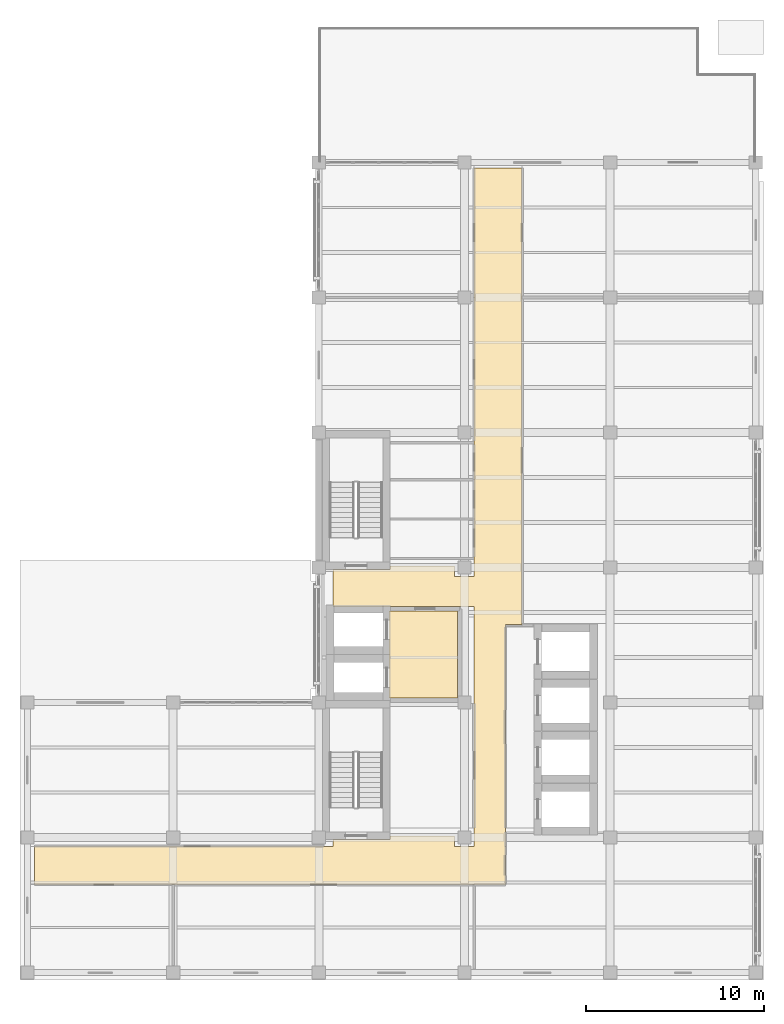
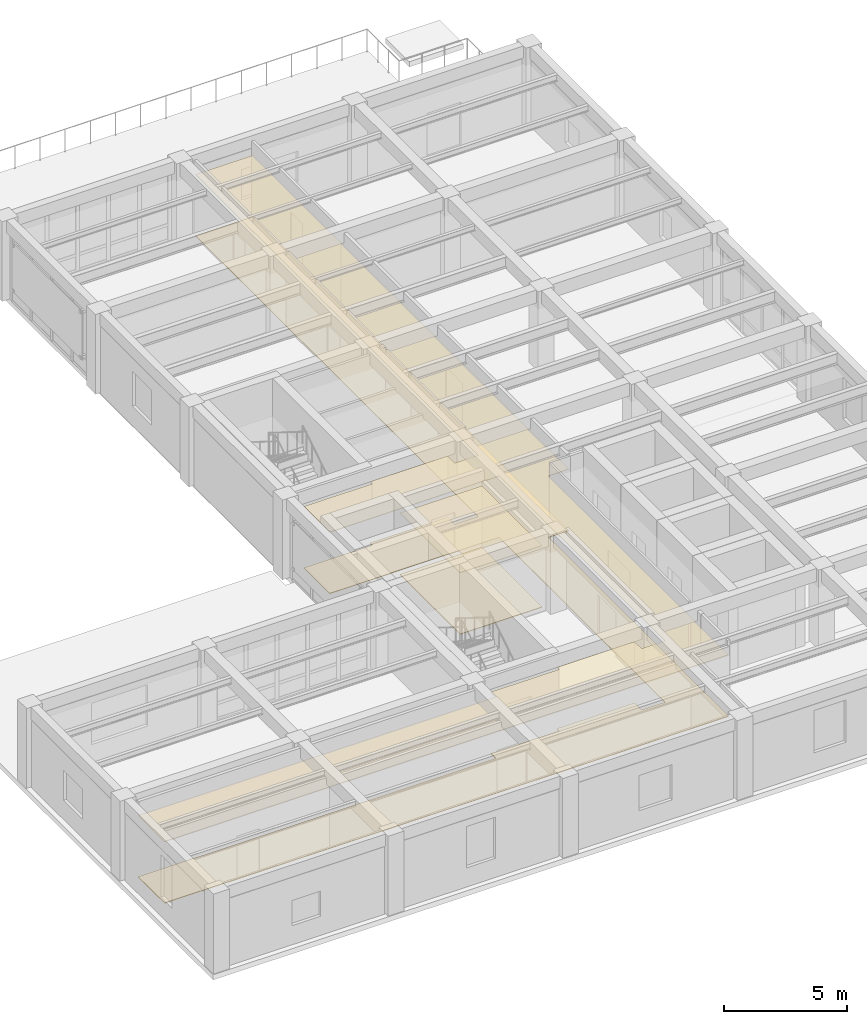
# One storey, part 10 of 12: 4 coverings.
"""IFC4 building model written with IfcOpenShell, lengths in metres."""

import ifcopenshell
import ifcopenshell.guid

model = None  # the IFC model being written
_history = None  # IfcOwnerHistory: only IFC2X3 demands one
_inside = {}  # id of a spatial element -> (the spatial element, [elements in it])
_under = {}  # id of a project, library or spatial element -> (it, [spatial elements below it])
_declared = {}  # id of a project -> (the project, [libraries it declares])
_typed = {}  # id of a type object -> (the type object, [elements of that type])
_made_of = {}  # id of a material, layer set ... -> (it, [elements and type objects made of it])


def new_model(schema):
    """Start an empty IFC model of exactly this schema.

    Asked for "IFC4X3", IfcOpenShell would pick the latest addendum, in which some entities
    have other attributes; the version numbers below select the first issue.
    IFC2X3 requires an IfcOwnerHistory on every rooted entity: one is made here for all.
    """
    global model, _history
    if schema == "IFC4X3":
        model = ifcopenshell.file(schema_version=(4, 3, 0, 0))
    else:
        model = ifcopenshell.file(schema=schema)
    _inside.clear()
    _under.clear()
    _declared.clear()
    _typed.clear()
    _made_of.clear()
    _history = None
    if model.schema == "IFC2X3":
        org = make("IfcOrganization", Name="unknown")
        user = make(
            "IfcPersonAndOrganization",
            ThePerson=make("IfcPerson", FamilyName="unknown"),
            TheOrganization=org,
        )
        app = make(
            "IfcApplication",
            ApplicationDeveloper=org,
            Version="unknown",
            ApplicationFullName="unknown",
            ApplicationIdentifier="unknown",
        )
        _history = make(
            "IfcOwnerHistory",
            OwningUser=user,
            OwningApplication=app,
            ChangeAction="ADDED",
            CreationDate=0,
        )
    return model


def make(cls, **values):
    """One entity of the class cls with the attributes given. An attribute that is None is left unset."""
    return model.create_entity(
        cls, **{name: value for name, value in values.items() if value is not None}
    )


def rooted(cls, **values):
    """An entity with a GlobalId (a new one), such as an element, a storey or a relation."""
    return make(cls, GlobalId=ifcopenshell.guid.new(), OwnerHistory=_history, **values)


def si_unit(unit_type, name, prefix=None):
    """IfcSIUnit, for example si_unit("LENGTHUNIT", "METRE", prefix="MILLI")."""
    return make("IfcSIUnit", UnitType=unit_type, Prefix=prefix, Name=name)


def assignment(units):
    """IfcUnitAssignment: the units of a project."""
    return None if units is None else make("IfcUnitAssignment", Units=units)


def point(xyz):
    """IfcCartesianPoint."""
    return None if xyz is None else make("IfcCartesianPoint", Coordinates=xyz)


def direction(xyz):
    """IfcDirection."""
    return None if xyz is None else make("IfcDirection", DirectionRatios=xyz)


def frame(location, z_axis=None, x_axis=None):
    """IfcAxis2Placement3D, a coordinate frame: its origin and axes. An axis left out is left unset."""
    return make(
        "IfcAxis2Placement3D",
        Location=point(location),
        Axis=direction(z_axis),
        RefDirection=direction(x_axis),
    )


def origin():
    """The frame at (0, 0, 0) with its axes left unset."""
    return frame((0.0, 0.0, 0.0))


def place(relative_to, where):
    """IfcLocalPlacement: puts the frame where relative to a parent placement (None: the world)."""
    return make(
        "IfcLocalPlacement", PlacementRelTo=relative_to, RelativePlacement=where
    )


def context(
    kind, dimensions, precision=None, world=None, true_north=None, identifier=None
):
    """IfcGeometricRepresentationContext, for example the 3D "Model" context."""
    return make(
        "IfcGeometricRepresentationContext",
        ContextIdentifier=identifier,
        ContextType=kind,
        CoordinateSpaceDimension=dimensions,
        Precision=precision,
        WorldCoordinateSystem=world,
        TrueNorth=true_north,
    )


def subcontext(parent, identifier, kind, view, scale=None):
    """IfcGeometricRepresentationSubContext, for example "Body" below "Model"."""
    return make(
        "IfcGeometricRepresentationSubContext",
        ContextIdentifier=identifier,
        ContextType=kind,
        ParentContext=parent,
        TargetScale=scale,
        TargetView=view,
    )


def project(units=None, contexts=None):
    """IfcProject with its units and contexts."""
    return rooted(
        "IfcProject",
        Name="project",
        RepresentationContexts=contexts,
        UnitsInContext=assignment(units),
    )


def spatial(cls, under=None, at=None, **own):
    """A site, building, storey or space (cls), placed at a placement, below another one or the project."""
    s = rooted(cls, ObjectPlacement=at, **own)
    if under is not None:
        _under.setdefault(under.id(), (under, []))[1].append(s)
    return s


def polyline(points):
    """IfcPolyline through the points."""
    return make("IfcPolyline", Points=[point(p) for p in points])


def outline(outer, holes=None, kind="AREA"):
    """IfcArbitraryClosedProfileDef: a profile drawn as a closed curve; with holes, ...WithVoids."""
    if holes is None:
        return make("IfcArbitraryClosedProfileDef", ProfileType=kind, OuterCurve=outer)
    return make(
        "IfcArbitraryProfileDefWithVoids",
        ProfileType=kind,
        OuterCurve=outer,
        InnerCurves=holes,
    )


def extrude(swept, where, along, depth):
    """IfcExtrudedAreaSolid: the profile swept, set in the frame where, extruded along a direction by depth."""
    return make(
        "IfcExtrudedAreaSolid",
        SweptArea=swept,
        Position=where,
        ExtrudedDirection=direction(along),
        Depth=depth,
    )


def shape(context_of_items, identifier, shape_type, items):
    """IfcShapeRepresentation: the items that make up one representation, for example the "Body"."""
    return make(
        "IfcShapeRepresentation",
        ContextOfItems=context_of_items,
        RepresentationIdentifier=identifier,
        RepresentationType=shape_type,
        Items=items,
    )


def material(Name=None, Category=None):
    """IfcMaterial."""
    return make("IfcMaterial", Name=Name, Category=Category)


def layer(
    of_material, thickness, ventilated=None, Name=None, Category=None, Priority=None
):
    """IfcMaterialLayer: one layer of a wall or slab, of a material (None: an air gap)."""
    return make(
        "IfcMaterialLayer",
        Material=of_material,
        LayerThickness=thickness,
        IsVentilated=ventilated,
        Name=Name,
        Category=Category,
        Priority=Priority,
    )


def layer_set(layers, Name=None):
    """IfcMaterialLayerSet."""
    return make("IfcMaterialLayerSet", MaterialLayers=layers, LayerSetName=Name)


def made_of(thing, what):
    """Note that an element or type object is made of a material, layer set ...; save() writes the relation."""
    if what is not None:
        _made_of.setdefault(what.id(), (what, []))[1].append(thing)
    return thing


def type_object(cls, material=None, **own):
    """A type object (cls), such as IfcWallType, which elements share."""
    return made_of(rooted(cls, **own), material)


def element(
    cls,
    number,
    at=None,
    inside=None,
    cuts=None,
    type_object=None,
    material=None,
    context=None,
    identifier="Body",
    shape_type=None,
    held_by="IfcProductDefinitionShape",
    body=None,
    shapes=None,
    **own,
):
    """One element of the class cls, such as IfcWall. Its Tag is "e" and its number.

    at: its placement. inside: the storey or other place that contains it. cuts: it is an
    opening in that element (IfcRelVoidsElement). A single representation is given by context,
    identifier, shape_type and body (its items); several are given by shapes. held_by: the class
    of the entity that holds the representations. save() writes the other relations.
    """
    e = rooted(cls, Tag="e%d" % number, ObjectPlacement=at, **own)
    if body is not None:
        shapes = [shape(context, identifier, shape_type, body)]
    if shapes is not None:
        e.Representation = make(held_by, Representations=shapes)
    if inside is not None:
        _inside.setdefault(inside.id(), (inside, []))[1].append(e)
    if cuts is not None:
        rooted(
            "IfcRelVoidsElement", RelatingBuildingElement=cuts, RelatedOpeningElement=e
        )
    if type_object is not None:
        _typed.setdefault(type_object.id(), (type_object, []))[1].append(e)
    return made_of(e, material)


def aggregate(whole, parts):
    """IfcRelAggregates: a whole, such as a stair, and the parts it consists of."""
    return rooted("IfcRelAggregates", RelatingObject=whole, RelatedObjects=parts)


def save(model, path):
    """Write the relations noted so far, then the file.

    IfcRelAggregates (storeys below a building ...), IfcRelContainedInSpatialStructure (elements
    in a storey), IfcRelDefinesByType, IfcRelAssociatesMaterial and IfcRelDeclares: one each for
    every whole, place, type object, material and project.
    """
    for whole, parts in _under.values():
        aggregate(whole, parts)
    for where, things in _inside.values():
        rooted(
            "IfcRelContainedInSpatialStructure",
            RelatedElements=things,
            RelatingStructure=where,
        )
    for kind, things in _typed.values():
        rooted("IfcRelDefinesByType", RelatedObjects=things, RelatingType=kind)
    for what, things in _made_of.values():
        rooted("IfcRelAssociatesMaterial", RelatedObjects=things, RelatingMaterial=what)
    for by, libraries in _declared.values():
        rooted("IfcRelDeclares", RelatingContext=by, RelatedDefinitions=libraries)
    model.write(path)


model = new_model("IFC4")

# Units and contexts
model_context = context("Model", 3, precision=1e-05, world=origin(), true_north=direction((0.0, 1.0)))
body_context = subcontext(model_context, "Body", "Model", "MODEL_VIEW")
ifc_project = project(units=[si_unit("LENGTHUNIT", "METRE"), si_unit("AREAUNIT", "SQUARE_METRE"), si_unit("VOLUMEUNIT", "CUBIC_METRE"), si_unit("PLANEANGLEUNIT", "RADIAN"), si_unit("MASSUNIT", "GRAM", prefix="KILO")], contexts=[model_context])

# Site, building, storey
site_placement = place(None, origin())
site = spatial("IfcSite", under=ifc_project, at=site_placement, CompositionType="ELEMENT")
building_placement = place(site_placement, origin())
building = spatial("IfcBuilding", under=site, at=building_placement, Name="Qandaris Square Conservatory and Botanical Centre", CompositionType="ELEMENT")
storey_placement = place(building_placement, frame((0.0, 0.0, 53.39990234375)))
storey = spatial("IfcBuildingStorey", under=building, at=storey_placement, Name="L12", CompositionType="ELEMENT", Elevation=53.39990234375)

# Coverings
ifc_material_1 = material(Name="Honed Qatari Limestone", Category="masonry")
ifc_layer_1 = layer(ifc_material_1, 0.030029296875)
ifc_layer_set_1 = layer_set([ifc_layer_1], Name="Honed Qatari Limestone")
covering_type_1 = type_object("IfcCoveringType", Name="Honed Qatari Limestone Concourse Paving", PredefinedType="FLOORING", material=ifc_layer_set_1)
covering_1_placement = place(storey_placement, origin())
element("IfcCovering", 1, at=covering_1_placement, inside=storey, type_object=covering_type_1, Name="Firefighting Lift Lobby L12 Flooring", PredefinedType="FLOORING", context=body_context, shape_type="SweptSolid", body=[
    extrude(outline(polyline([(143.14990234375, 36.949951171875), (147.0, 36.949951171875), (147.0, 32.050048828125), (143.14990234375, 32.050048828125), (143.14990234375, 36.949951171875)])), origin(), (0.0, 0.0, 1.0), 0.030029296875),
])
covering_2_placement = place(storey_placement, origin())
element("IfcCovering", 2, at=covering_2_placement, inside=storey, type_object=covering_type_1, Name="Main Circulation Corridor L12 Flooring", PredefinedType="FLOORING", context=body_context, shape_type="SweptSolid", body=[
    extrude(outline(polyline([(140.0, 24.10009765625), (143.199951171875, 24.10009765625), (143.199951171875, 24.280029296875), (146.85009765625, 24.280029296875), (146.85009765625, 23.699951171875), (147.949951171875, 23.699951171875), (147.949951171875, 24.75), (147.949951171875, 31.75), (147.949951171875, 36.199951171875), (147.949951171875, 37.199951171875), (140.0, 37.199951171875), (140.0, 38.89990234375), (140.0, 39.300048828125), (143.199951171875, 39.300048828125), (143.199951171875, 39.47998046875), (146.85009765625, 39.47998046875), (146.85009765625, 38.89990234375), (147.949951171875, 38.89990234375), (147.949951171875, 39.89990234375), (147.949951171875, 42.1201171875), (147.949951171875, 44.340087890625), (147.949951171875, 46.419921875), (147.949951171875, 61.89990234375), (150.64990234375, 61.89990234375), (150.64990234375, 36.199951171875), (149.699951171875, 36.199951171875), (149.699951171875, 36.050048828125), (149.699951171875, 24.75), (149.699951171875, 23.699951171875), (149.699951171875, 21.550048828125), (147.949951171875, 21.550048828125), (123.199951171875, 21.550048828125), (123.199951171875, 23.699951171875), (140.0, 23.699951171875), (140.0, 24.10009765625)])), origin(), (0.0, 0.0, 1.0), 0.030029296875),
])
ifc_material_2 = material(Name="Gypsum Plasterboard", Category="gypsum")
ifc_layer_2 = layer(ifc_material_2, 0.02490234375)
ifc_layer_set_2 = layer_set([ifc_layer_2], Name="Gypsum Plasterboard")
covering_type_2 = type_object("IfcCoveringType", Name="Perforated Acoustic Lab Ceiling Tile", PredefinedType="CEILING", material=ifc_layer_set_2)
covering_3_placement = place(storey_placement, frame((0.0, 0.0, 3.050048828125)))
element("IfcCovering", 3, at=covering_3_placement, inside=storey, type_object=covering_type_2, Name="Firefighting Lift Lobby L12 Ceiling", PredefinedType="CEILING", context=body_context, shape_type="SweptSolid", body=[
    extrude(outline(polyline([(143.14990234375, 36.949951171875), (147.0, 36.949951171875), (147.0, 32.050048828125), (143.14990234375, 32.050048828125), (143.14990234375, 36.949951171875)])), origin(), (0.0, 0.0, 1.0), 0.025146484375),
])
covering_4_placement = place(storey_placement, frame((0.0, 0.0, 3.050048828125)))
element("IfcCovering", 4, at=covering_4_placement, inside=storey, type_object=covering_type_2, Name="Main Circulation Corridor L12 Ceiling", PredefinedType="CEILING", context=body_context, shape_type="SweptSolid", body=[
    extrude(outline(polyline([(140.0, 24.10009765625), (143.199951171875, 24.10009765625), (143.199951171875, 24.280029296875), (146.85009765625, 24.280029296875), (146.85009765625, 23.699951171875), (147.949951171875, 23.699951171875), (147.949951171875, 24.75), (147.949951171875, 31.75), (147.949951171875, 36.199951171875), (147.949951171875, 37.199951171875), (140.0, 37.199951171875), (140.0, 38.89990234375), (140.0, 39.300048828125), (143.199951171875, 39.300048828125), (143.199951171875, 39.47998046875), (146.85009765625, 39.47998046875), (146.85009765625, 38.89990234375), (147.949951171875, 38.89990234375), (147.949951171875, 39.89990234375), (147.949951171875, 42.1201171875), (147.949951171875, 44.340087890625), (147.949951171875, 46.419921875), (147.949951171875, 61.89990234375), (150.64990234375, 61.89990234375), (150.64990234375, 36.199951171875), (149.699951171875, 36.199951171875), (149.699951171875, 36.050048828125), (149.699951171875, 24.75), (149.699951171875, 23.699951171875), (149.699951171875, 21.550048828125), (147.949951171875, 21.550048828125), (123.199951171875, 21.550048828125), (123.199951171875, 23.699951171875), (140.0, 23.699951171875), (140.0, 24.10009765625)])), origin(), (0.0, 0.0, 1.0), 0.025146484375),
])

save(model, "model.ifc")
